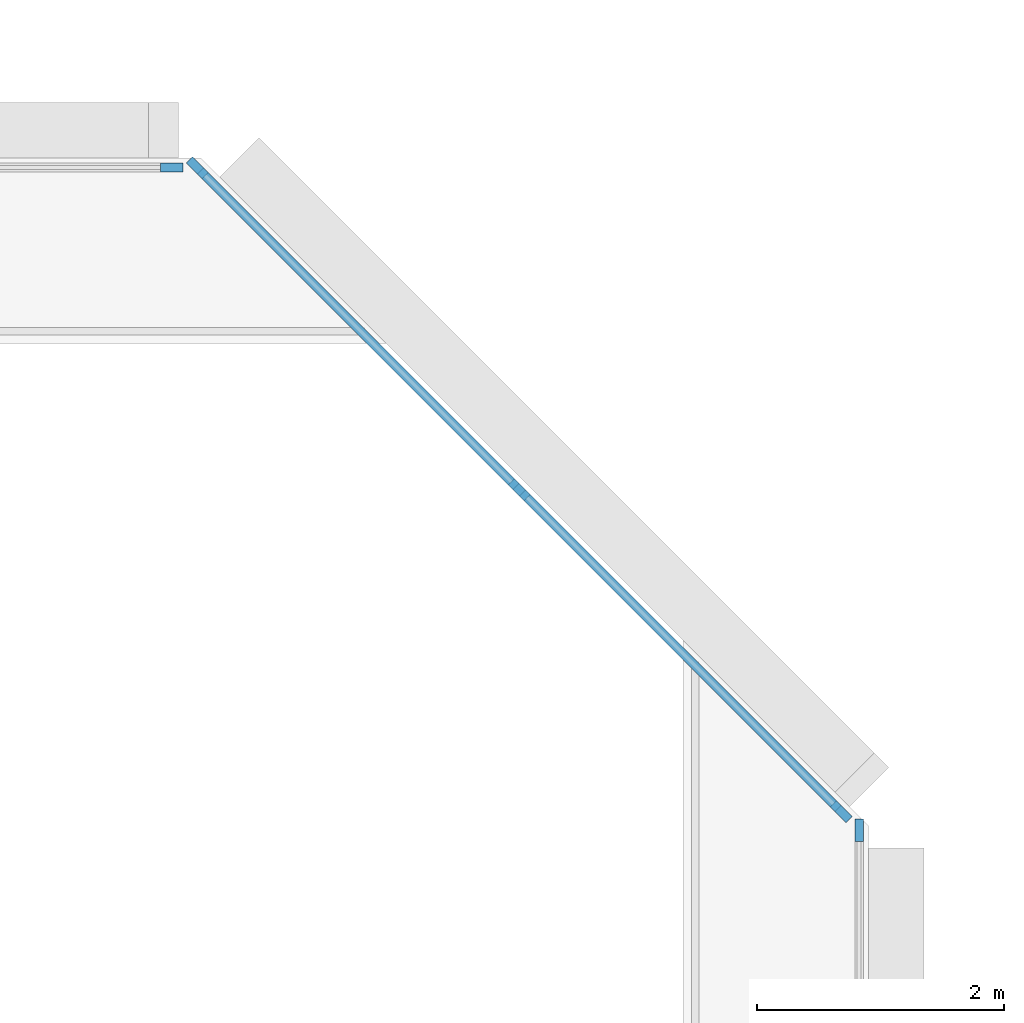
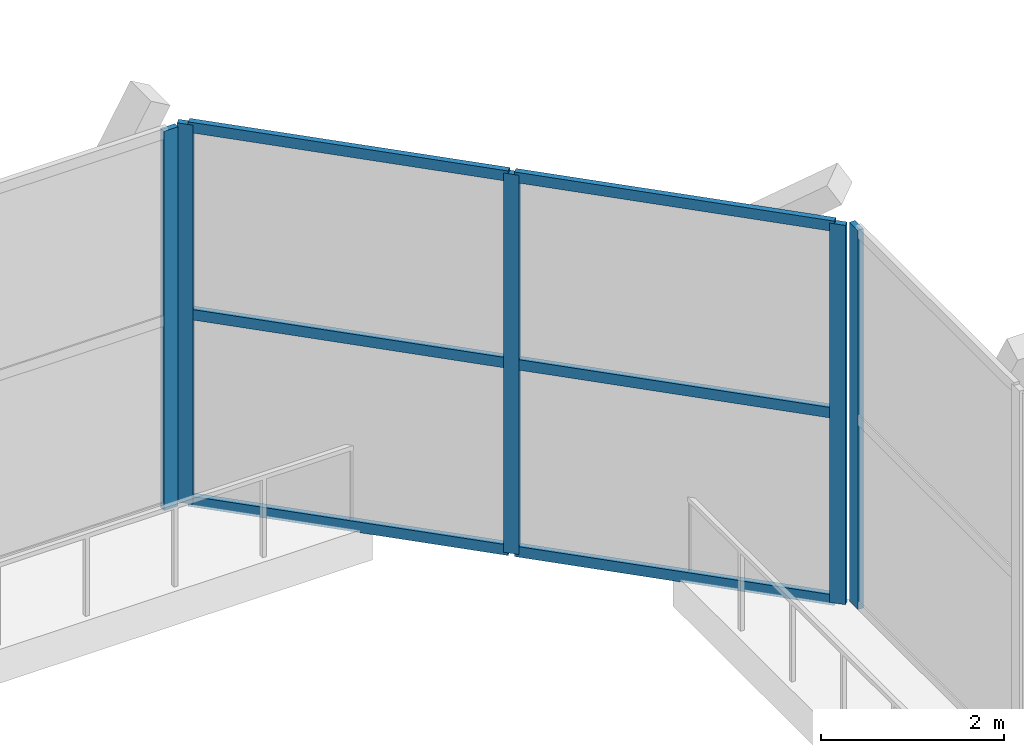
# One storey, part 4 of 14: 11 members, 3 elements without a shape of their own.
"""IFC4 building model written with IfcOpenShell, lengths in metres."""

import ifcopenshell
import ifcopenshell.guid

model = None  # the IFC model being written
_history = None  # IfcOwnerHistory: only IFC2X3 demands one
_inside = {}  # id of a spatial element -> (the spatial element, [elements in it])
_under = {}  # id of a project, library or spatial element -> (it, [spatial elements below it])
_declared = {}  # id of a project -> (the project, [libraries it declares])
_typed = {}  # id of a type object -> (the type object, [elements of that type])
_made_of = {}  # id of a material, layer set ... -> (it, [elements and type objects made of it])


def new_model(schema):
    """Start an empty IFC model of exactly this schema.

    Asked for "IFC4X3", IfcOpenShell would pick the latest addendum, in which some entities
    have other attributes; the version numbers below select the first issue.
    IFC2X3 requires an IfcOwnerHistory on every rooted entity: one is made here for all.
    """
    global model, _history
    if schema == "IFC4X3":
        model = ifcopenshell.file(schema_version=(4, 3, 0, 0))
    else:
        model = ifcopenshell.file(schema=schema)
    _inside.clear()
    _under.clear()
    _declared.clear()
    _typed.clear()
    _made_of.clear()
    _history = None
    if model.schema == "IFC2X3":
        org = make("IfcOrganization", Name="unknown")
        user = make(
            "IfcPersonAndOrganization",
            ThePerson=make("IfcPerson", FamilyName="unknown"),
            TheOrganization=org,
        )
        app = make(
            "IfcApplication",
            ApplicationDeveloper=org,
            Version="unknown",
            ApplicationFullName="unknown",
            ApplicationIdentifier="unknown",
        )
        _history = make(
            "IfcOwnerHistory",
            OwningUser=user,
            OwningApplication=app,
            ChangeAction="ADDED",
            CreationDate=0,
        )
    return model


def make(cls, **values):
    """One entity of the class cls with the attributes given. An attribute that is None is left unset."""
    return model.create_entity(
        cls, **{name: value for name, value in values.items() if value is not None}
    )


def rooted(cls, **values):
    """An entity with a GlobalId (a new one), such as an element, a storey or a relation."""
    return make(cls, GlobalId=ifcopenshell.guid.new(), OwnerHistory=_history, **values)


def si_unit(unit_type, name, prefix=None):
    """IfcSIUnit, for example si_unit("LENGTHUNIT", "METRE", prefix="MILLI")."""
    return make("IfcSIUnit", UnitType=unit_type, Prefix=prefix, Name=name)


def assignment(units):
    """IfcUnitAssignment: the units of a project."""
    return None if units is None else make("IfcUnitAssignment", Units=units)


def point(xyz):
    """IfcCartesianPoint."""
    return None if xyz is None else make("IfcCartesianPoint", Coordinates=xyz)


def direction(xyz):
    """IfcDirection."""
    return None if xyz is None else make("IfcDirection", DirectionRatios=xyz)


def frame(location, z_axis=None, x_axis=None):
    """IfcAxis2Placement3D, a coordinate frame: its origin and axes. An axis left out is left unset."""
    return make(
        "IfcAxis2Placement3D",
        Location=point(location),
        Axis=direction(z_axis),
        RefDirection=direction(x_axis),
    )


def frame_2d(location, x_axis=None):
    """IfcAxis2Placement2D, a coordinate frame in the plane: its origin and x axis."""
    return make(
        "IfcAxis2Placement2D", Location=point(location), RefDirection=direction(x_axis)
    )


def origin():
    """The frame at (0, 0, 0) with its axes left unset."""
    return frame((0.0, 0.0, 0.0))


def origin_2d():
    """The frame at (0, 0) in the plane with its x axis left unset."""
    return frame_2d((0.0, 0.0))


def place(relative_to, where):
    """IfcLocalPlacement: puts the frame where relative to a parent placement (None: the world)."""
    return make(
        "IfcLocalPlacement", PlacementRelTo=relative_to, RelativePlacement=where
    )


def context(
    kind, dimensions, precision=None, world=None, true_north=None, identifier=None
):
    """IfcGeometricRepresentationContext, for example the 3D "Model" context."""
    return make(
        "IfcGeometricRepresentationContext",
        ContextIdentifier=identifier,
        ContextType=kind,
        CoordinateSpaceDimension=dimensions,
        Precision=precision,
        WorldCoordinateSystem=world,
        TrueNorth=true_north,
    )


def subcontext(parent, identifier, kind, view, scale=None):
    """IfcGeometricRepresentationSubContext, for example "Body" below "Model"."""
    return make(
        "IfcGeometricRepresentationSubContext",
        ContextIdentifier=identifier,
        ContextType=kind,
        ParentContext=parent,
        TargetScale=scale,
        TargetView=view,
    )


def project(units=None, contexts=None):
    """IfcProject with its units and contexts."""
    return rooted(
        "IfcProject",
        Name="project",
        RepresentationContexts=contexts,
        UnitsInContext=assignment(units),
    )


def spatial(cls, under=None, at=None, **own):
    """A site, building, storey or space (cls), placed at a placement, below another one or the project."""
    s = rooted(cls, ObjectPlacement=at, **own)
    if under is not None:
        _under.setdefault(under.id(), (under, []))[1].append(s)
    return s


def profile(cls, at=None, kind="AREA", **sizes):
    """A parametric profile (cls). Its sizes go by their IFC names, for example OverallWidth=200.0."""
    return make(cls, ProfileType=kind, Position=at, **sizes)


def rectangle(**sizes):
    """IfcRectangleProfileDef."""
    return profile("IfcRectangleProfileDef", **sizes)


def extrude(swept, where, along, depth):
    """IfcExtrudedAreaSolid: the profile swept, set in the frame where, extruded along a direction by depth."""
    return make(
        "IfcExtrudedAreaSolid",
        SweptArea=swept,
        Position=where,
        ExtrudedDirection=direction(along),
        Depth=depth,
    )


def shape(context_of_items, identifier, shape_type, items):
    """IfcShapeRepresentation: the items that make up one representation, for example the "Body"."""
    return make(
        "IfcShapeRepresentation",
        ContextOfItems=context_of_items,
        RepresentationIdentifier=identifier,
        RepresentationType=shape_type,
        Items=items,
    )


def material(Name=None, Category=None):
    """IfcMaterial."""
    return make("IfcMaterial", Name=Name, Category=Category)


def layer(
    of_material, thickness, ventilated=None, Name=None, Category=None, Priority=None
):
    """IfcMaterialLayer: one layer of a wall or slab, of a material (None: an air gap)."""
    return make(
        "IfcMaterialLayer",
        Material=of_material,
        LayerThickness=thickness,
        IsVentilated=ventilated,
        Name=Name,
        Category=Category,
        Priority=Priority,
    )


def layer_set(layers, Name=None):
    """IfcMaterialLayerSet."""
    return make("IfcMaterialLayerSet", MaterialLayers=layers, LayerSetName=Name)


def material_profile(
    of_material, cross_section, Name=None, Category=None, Priority=None
):
    """IfcMaterialProfile: a cross section and its material."""
    return make(
        "IfcMaterialProfile",
        Name=Name,
        Material=of_material,
        Profile=cross_section,
        Priority=Priority,
        Category=Category,
    )


def profile_set(profiles, Name=None, composite=None):
    """IfcMaterialProfileSet."""
    return make(
        "IfcMaterialProfileSet",
        Name=Name,
        MaterialProfiles=profiles,
        CompositeProfile=composite,
    )


def made_of(thing, what):
    """Note that an element or type object is made of a material, layer set ...; save() writes the relation."""
    if what is not None:
        _made_of.setdefault(what.id(), (what, []))[1].append(thing)
    return thing


def type_object(cls, material=None, **own):
    """A type object (cls), such as IfcWallType, which elements share."""
    return made_of(rooted(cls, **own), material)


def element(
    cls,
    number,
    at=None,
    inside=None,
    cuts=None,
    type_object=None,
    material=None,
    context=None,
    identifier="Body",
    shape_type=None,
    held_by="IfcProductDefinitionShape",
    body=None,
    shapes=None,
    **own,
):
    """One element of the class cls, such as IfcWall. Its Tag is "e" and its number.

    at: its placement. inside: the storey or other place that contains it. cuts: it is an
    opening in that element (IfcRelVoidsElement). A single representation is given by context,
    identifier, shape_type and body (its items); several are given by shapes. held_by: the class
    of the entity that holds the representations. save() writes the other relations.
    """
    e = rooted(cls, Tag="e%d" % number, ObjectPlacement=at, **own)
    if body is not None:
        shapes = [shape(context, identifier, shape_type, body)]
    if shapes is not None:
        e.Representation = make(held_by, Representations=shapes)
    if inside is not None:
        _inside.setdefault(inside.id(), (inside, []))[1].append(e)
    if cuts is not None:
        rooted(
            "IfcRelVoidsElement", RelatingBuildingElement=cuts, RelatedOpeningElement=e
        )
    if type_object is not None:
        _typed.setdefault(type_object.id(), (type_object, []))[1].append(e)
    return made_of(e, material)


def aggregate(whole, parts):
    """IfcRelAggregates: a whole, such as a stair, and the parts it consists of."""
    return rooted("IfcRelAggregates", RelatingObject=whole, RelatedObjects=parts)


def save(model, path):
    """Write the relations noted so far, then the file.

    IfcRelAggregates (storeys below a building ...), IfcRelContainedInSpatialStructure (elements
    in a storey), IfcRelDefinesByType, IfcRelAssociatesMaterial and IfcRelDeclares: one each for
    every whole, place, type object, material and project.
    """
    for whole, parts in _under.values():
        aggregate(whole, parts)
    for where, things in _inside.values():
        rooted(
            "IfcRelContainedInSpatialStructure",
            RelatedElements=things,
            RelatingStructure=where,
        )
    for kind, things in _typed.values():
        rooted("IfcRelDefinesByType", RelatedObjects=things, RelatingType=kind)
    for what, things in _made_of.values():
        rooted("IfcRelAssociatesMaterial", RelatedObjects=things, RelatingMaterial=what)
    for by, libraries in _declared.values():
        rooted("IfcRelDeclares", RelatingContext=by, RelatedDefinitions=libraries)
    model.write(path)


model = new_model("IFC4")

# Units and contexts
model_context = context("Model", 3, precision=1e-05, world=origin(), true_north=direction((0.0, 1.0)))
body_context = subcontext(model_context, "Body", "Model", "MODEL_VIEW")
ifc_project = project(units=[si_unit("LENGTHUNIT", "METRE"), si_unit("AREAUNIT", "SQUARE_METRE"), si_unit("VOLUMEUNIT", "CUBIC_METRE"), si_unit("PLANEANGLEUNIT", "RADIAN"), si_unit("MASSUNIT", "GRAM", prefix="KILO")], contexts=[model_context])

# Site, building, storey
site_placement = place(None, origin())
site = spatial("IfcSite", under=ifc_project, at=site_placement, CompositionType="ELEMENT")
building_placement = place(site_placement, origin())
building = spatial("IfcBuilding", under=site, at=building_placement, Name="Chenar Terraces", CompositionType="ELEMENT")
storey_placement = place(building_placement, frame((0.0, 0.0, 256.64990234375)))
storey = spatial("IfcBuildingStorey", under=building, at=storey_placement, Name="L61", CompositionType="ELEMENT", Elevation=256.64990234375)

# Curtain wall, member
ifc_material_1 = material(Name="Aluminium framed glazing", Category="aluminium")
ifc_layer = layer(ifc_material_1, 0.14990234375)
ifc_layer_set = layer_set([ifc_layer], Name="Aluminium framed glazing")
curtain_wall_type = type_object("IfcCurtainWallType", Name="Atrium mid-zone curtain wall", PredefinedType="NOTDEFINED", material=ifc_layer_set)
placement = place(storey_placement, origin())
curtain_wall_1 = element("IfcCurtainWall", 1, at=placement, inside=storey, type_object=curtain_wall_type, Name="Atrium mid-zone curtain wall", PredefinedType="NOTDEFINED")
ifc_material_2 = material(Name="Aluminium", Category="aluminium")
ifc_material_profile_1 = material_profile(ifc_material_2, rectangle(XDim=0.070068359375, YDim=0.179931640625, at=origin_2d()), Name="Atrium mid-zone glazing mullion 70 x 180")
ifc_profile_set_1 = profile_set([ifc_material_profile_1], Name="Aluminium")
member_type_1 = type_object("IfcMemberType", Name="Atrium mid-zone glazing mullion 70 x 180", PredefinedType="MULLION", material=ifc_profile_set_1)
member_1_placement = place(storey_placement, frame((37.425048828125, 32.06494140625, 0.0), z_axis=(0.0, 0.0, 1.0), x_axis=(-1.0, 0.0, 0.0)))
member_1 = element("IfcMember", 2, at=member_1_placement, type_object=member_type_1, Name="CW7-1 mullion 2", PredefinedType="MULLION", context=body_context, shape_type="SweptSolid", body=[
    extrude(rectangle(XDim=0.070068359375, YDim=0.179931640625, at=origin_2d()), origin(), (0.0, 0.0, 1.0), 5.050048828125),
])
aggregate(curtain_wall_1, [member_1])

# Curtain wall, members
curtain_wall_2 = element("IfcCurtainWall", 3, at=placement, inside=storey, type_object=curtain_wall_type, Name="Atrium mid-zone curtain wall", PredefinedType="NOTDEFINED")
member_2_placement = place(storey_placement, frame((37.28076171875, 32.213134765625, 0.0), z_axis=(0.0, 0.0, 1.0), x_axis=(-0.707106781187, -0.707106781187, 0.0)))
member_2 = element("IfcMember", 4, at=member_2_placement, type_object=member_type_1, Name="CW7-2 mullion 1", PredefinedType="MULLION", context=body_context, shape_type="SweptSolid", body=[
    extrude(rectangle(XDim=0.070068359375, YDim=0.179931640625, at=origin_2d()), origin(), (0.0, 0.0, 1.0), 5.050048828125),
])
member_3_placement = place(storey_placement, frame((34.67626953125, 34.817626953125, 0.0), z_axis=(0.0, 0.0, 1.0), x_axis=(-0.707106781187, -0.707106781187, 0.0)))
member_3 = element("IfcMember", 5, at=member_3_placement, type_object=member_type_1, Name="CW7-2 mullion 2", PredefinedType="MULLION", context=body_context, shape_type="SweptSolid", body=[
    extrude(rectangle(XDim=0.070068359375, YDim=0.179931640625, at=origin_2d()), origin(), (0.0, 0.0, 1.0), 5.050048828125),
])
member_4_placement = place(storey_placement, frame((32.07177734375, 37.42236328125, 0.0), z_axis=(0.0, 0.0, 1.0), x_axis=(-0.707106781187, -0.707106781187, 0.0)))
member_4 = element("IfcMember", 6, at=member_4_placement, type_object=member_type_1, Name="CW7-2 mullion 3", PredefinedType="MULLION", context=body_context, shape_type="SweptSolid", body=[
    extrude(rectangle(XDim=0.070068359375, YDim=0.179931640625, at=origin_2d()), origin(), (0.0, 0.0, 1.0), 5.050048828125),
])

# Curtain wall, member
curtain_wall_3 = element("IfcCurtainWall", 7, at=placement, inside=storey, type_object=curtain_wall_type, Name="Atrium mid-zone curtain wall", PredefinedType="NOTDEFINED")
member_5_placement = place(storey_placement, frame((31.864990234375, 37.425048828125, 0.0), z_axis=(0.0, 0.0, 1.0), x_axis=(0.0, -1.0, 0.0)))
member_5 = element("IfcMember", 8, at=member_5_placement, type_object=member_type_1, Name="CW7-3 mullion 1", PredefinedType="MULLION", context=body_context, shape_type="SweptSolid", body=[
    extrude(rectangle(XDim=0.070068359375, YDim=0.179931640625, at=origin_2d()), origin(), (0.0, 0.0, 1.0), 5.050048828125),
])
aggregate(curtain_wall_3, [member_5])

# Member
ifc_material_3 = material(Name="Aluminium", Category="aluminium")
ifc_material_profile_2 = material_profile(ifc_material_3, rectangle(XDim=0.070068359375, YDim=0.139892578125, at=origin_2d()), Name="Atrium mid-zone glazing transom 70 x 140")
ifc_profile_set_2 = profile_set([ifc_material_profile_2], Name="Aluminium")
member_type_2 = type_object("IfcMemberType", Name="Atrium mid-zone glazing transom 70 x 140", PredefinedType="USERDEFINED", material=ifc_profile_set_2)
member_6_placement = place(storey_placement, frame((37.256103515625, 32.23779296875, 0.03515625), z_axis=(-0.707106781187, 0.707106781187, 0.0), x_axis=(-0.707106781187, -0.707106781187, 0.0)))
member_6 = element("IfcMember", 9, at=member_6_placement, type_object=member_type_2, Name="CW7-2 transom 1.1", ObjectType="TRANSOM", PredefinedType="USERDEFINED", context=body_context, shape_type="SweptSolid", body=[
    extrude(rectangle(XDim=0.070068359375, YDim=0.139892578125, at=origin_2d()), origin(), (0.0, 0.0, 1.0), 3.613525390625),
])

member_7_placement = place(storey_placement, frame((37.256103515625, 32.23779296875, 2.525146484375), z_axis=(-0.707106781187, 0.707106781187, 0.0), x_axis=(-0.707106781187, -0.707106781187, 0.0)))
member_7 = element("IfcMember", 10, at=member_7_placement, type_object=member_type_2, Name="CW7-2 transom 1.2", ObjectType="TRANSOM", PredefinedType="USERDEFINED", context=body_context, shape_type="SweptSolid", body=[
    extrude(rectangle(XDim=0.070068359375, YDim=0.139892578125, at=origin_2d()), origin(), (0.0, 0.0, 1.0), 3.613525390625),
])

member_8_placement = place(storey_placement, frame((37.256103515625, 32.23779296875, 5.01513671875), z_axis=(-0.707106781187, 0.707106781187, 0.0), x_axis=(-0.707106781187, -0.707106781187, 0.0)))
member_8 = element("IfcMember", 11, at=member_8_placement, type_object=member_type_2, Name="CW7-2 transom 1.3", ObjectType="TRANSOM", PredefinedType="USERDEFINED", context=body_context, shape_type="SweptSolid", body=[
    extrude(rectangle(XDim=0.070068359375, YDim=0.139892578125, at=origin_2d()), origin(), (0.0, 0.0, 1.0), 3.613525390625),
])

member_9_placement = place(storey_placement, frame((34.651611328125, 34.842529296875, 0.03515625), z_axis=(-0.707140563131, 0.707072997628, 0.0), x_axis=(-0.707072997628, -0.707140563131, 0.0)))
member_9 = element("IfcMember", 12, at=member_9_placement, type_object=member_type_2, Name="CW7-2 transom 2.1", ObjectType="TRANSOM", PredefinedType="USERDEFINED", context=body_context, shape_type="SweptSolid", body=[
    extrude(rectangle(XDim=0.070068359375, YDim=0.139892578125, at=origin_2d()), origin(), (0.0, 0.0, 1.0), 3.61328125),
])

member_10_placement = place(storey_placement, frame((34.651611328125, 34.842529296875, 2.525146484375), z_axis=(-0.707140563131, 0.707072997628, 0.0), x_axis=(-0.707072997628, -0.707140563131, 0.0)))
member_10 = element("IfcMember", 13, at=member_10_placement, type_object=member_type_2, Name="CW7-2 transom 2.2", ObjectType="TRANSOM", PredefinedType="USERDEFINED", context=body_context, shape_type="SweptSolid", body=[
    extrude(rectangle(XDim=0.070068359375, YDim=0.139892578125, at=origin_2d()), origin(), (0.0, 0.0, 1.0), 3.61328125),
])

member_11_placement = place(storey_placement, frame((34.651611328125, 34.842529296875, 5.01513671875), z_axis=(-0.707140563131, 0.707072997628, 0.0), x_axis=(-0.707072997628, -0.707140563131, 0.0)))
member_11 = element("IfcMember", 14, at=member_11_placement, type_object=member_type_2, Name="CW7-2 transom 2.3", ObjectType="TRANSOM", PredefinedType="USERDEFINED", context=body_context, shape_type="SweptSolid", body=[
    extrude(rectangle(XDim=0.070068359375, YDim=0.139892578125, at=origin_2d()), origin(), (0.0, 0.0, 1.0), 3.61328125),
])

aggregate(curtain_wall_2, [member_2, member_3, member_4, member_6, member_7, member_8, member_9, member_10, member_11])

save(model, "model.ifc")
